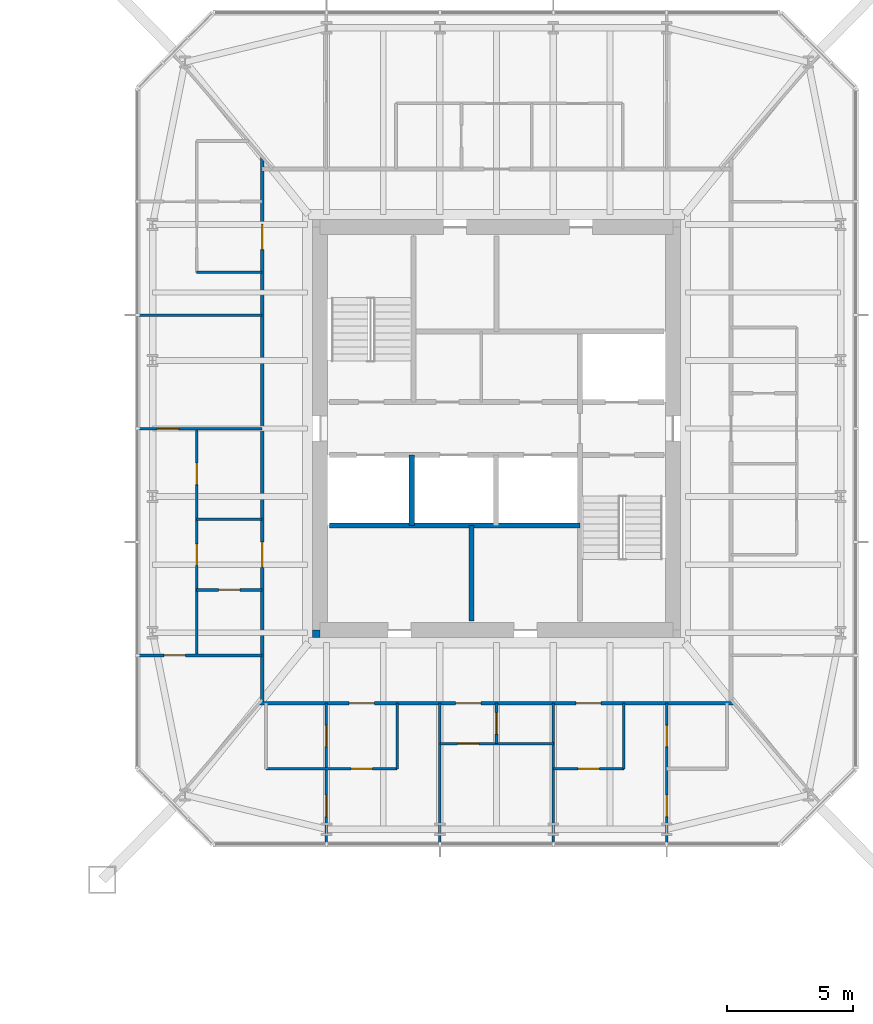
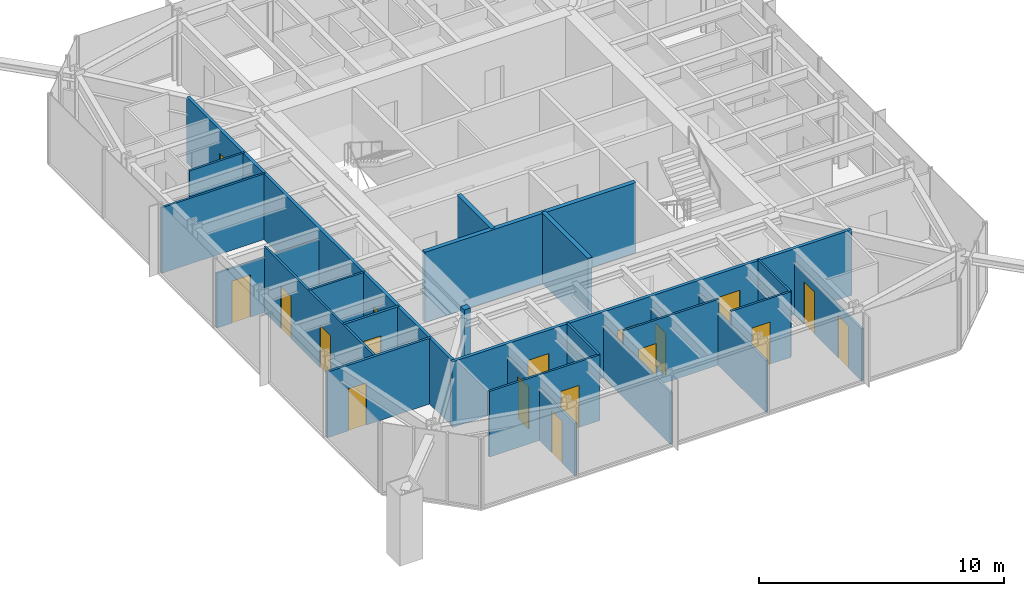
# One storey, part 17 of 25: 23 walls, 18 doors, 18 openings.
"""IFC4 building model written with IfcOpenShell, lengths in metres."""

import ifcopenshell
import ifcopenshell.guid

model = None  # the IFC model being written
_history = None  # IfcOwnerHistory: only IFC2X3 demands one
_inside = {}  # id of a spatial element -> (the spatial element, [elements in it])
_under = {}  # id of a project, library or spatial element -> (it, [spatial elements below it])
_declared = {}  # id of a project -> (the project, [libraries it declares])
_typed = {}  # id of a type object -> (the type object, [elements of that type])
_made_of = {}  # id of a material, layer set ... -> (it, [elements and type objects made of it])


def new_model(schema):
    """Start an empty IFC model of exactly this schema.

    Asked for "IFC4X3", IfcOpenShell would pick the latest addendum, in which some entities
    have other attributes; the version numbers below select the first issue.
    IFC2X3 requires an IfcOwnerHistory on every rooted entity: one is made here for all.
    """
    global model, _history
    if schema == "IFC4X3":
        model = ifcopenshell.file(schema_version=(4, 3, 0, 0))
    else:
        model = ifcopenshell.file(schema=schema)
    _inside.clear()
    _under.clear()
    _declared.clear()
    _typed.clear()
    _made_of.clear()
    _history = None
    if model.schema == "IFC2X3":
        org = make("IfcOrganization", Name="unknown")
        user = make(
            "IfcPersonAndOrganization",
            ThePerson=make("IfcPerson", FamilyName="unknown"),
            TheOrganization=org,
        )
        app = make(
            "IfcApplication",
            ApplicationDeveloper=org,
            Version="unknown",
            ApplicationFullName="unknown",
            ApplicationIdentifier="unknown",
        )
        _history = make(
            "IfcOwnerHistory",
            OwningUser=user,
            OwningApplication=app,
            ChangeAction="ADDED",
            CreationDate=0,
        )
    return model


def make(cls, **values):
    """One entity of the class cls with the attributes given. An attribute that is None is left unset."""
    return model.create_entity(
        cls, **{name: value for name, value in values.items() if value is not None}
    )


def rooted(cls, **values):
    """An entity with a GlobalId (a new one), such as an element, a storey or a relation."""
    return make(cls, GlobalId=ifcopenshell.guid.new(), OwnerHistory=_history, **values)


def si_unit(unit_type, name, prefix=None):
    """IfcSIUnit, for example si_unit("LENGTHUNIT", "METRE", prefix="MILLI")."""
    return make("IfcSIUnit", UnitType=unit_type, Prefix=prefix, Name=name)


def assignment(units):
    """IfcUnitAssignment: the units of a project."""
    return None if units is None else make("IfcUnitAssignment", Units=units)


def point(xyz):
    """IfcCartesianPoint."""
    return None if xyz is None else make("IfcCartesianPoint", Coordinates=xyz)


def direction(xyz):
    """IfcDirection."""
    return None if xyz is None else make("IfcDirection", DirectionRatios=xyz)


def frame(location, z_axis=None, x_axis=None):
    """IfcAxis2Placement3D, a coordinate frame: its origin and axes. An axis left out is left unset."""
    return make(
        "IfcAxis2Placement3D",
        Location=point(location),
        Axis=direction(z_axis),
        RefDirection=direction(x_axis),
    )


def frame_2d(location, x_axis=None):
    """IfcAxis2Placement2D, a coordinate frame in the plane: its origin and x axis."""
    return make(
        "IfcAxis2Placement2D", Location=point(location), RefDirection=direction(x_axis)
    )


def origin():
    """The frame at (0, 0, 0) with its axes left unset."""
    return frame((0.0, 0.0, 0.0))


def place(relative_to, where):
    """IfcLocalPlacement: puts the frame where relative to a parent placement (None: the world)."""
    return make(
        "IfcLocalPlacement", PlacementRelTo=relative_to, RelativePlacement=where
    )


def context(
    kind, dimensions, precision=None, world=None, true_north=None, identifier=None
):
    """IfcGeometricRepresentationContext, for example the 3D "Model" context."""
    return make(
        "IfcGeometricRepresentationContext",
        ContextIdentifier=identifier,
        ContextType=kind,
        CoordinateSpaceDimension=dimensions,
        Precision=precision,
        WorldCoordinateSystem=world,
        TrueNorth=true_north,
    )


def subcontext(parent, identifier, kind, view, scale=None):
    """IfcGeometricRepresentationSubContext, for example "Body" below "Model"."""
    return make(
        "IfcGeometricRepresentationSubContext",
        ContextIdentifier=identifier,
        ContextType=kind,
        ParentContext=parent,
        TargetScale=scale,
        TargetView=view,
    )


def project(units=None, contexts=None):
    """IfcProject with its units and contexts."""
    return rooted(
        "IfcProject",
        Name="project",
        RepresentationContexts=contexts,
        UnitsInContext=assignment(units),
    )


def spatial(cls, under=None, at=None, **own):
    """A site, building, storey or space (cls), placed at a placement, below another one or the project."""
    s = rooted(cls, ObjectPlacement=at, **own)
    if under is not None:
        _under.setdefault(under.id(), (under, []))[1].append(s)
    return s


def profile(cls, at=None, kind="AREA", **sizes):
    """A parametric profile (cls). Its sizes go by their IFC names, for example OverallWidth=200.0."""
    return make(cls, ProfileType=kind, Position=at, **sizes)


def rectangle(**sizes):
    """IfcRectangleProfileDef."""
    return profile("IfcRectangleProfileDef", **sizes)


def extrude(swept, where, along, depth):
    """IfcExtrudedAreaSolid: the profile swept, set in the frame where, extruded along a direction by depth."""
    return make(
        "IfcExtrudedAreaSolid",
        SweptArea=swept,
        Position=where,
        ExtrudedDirection=direction(along),
        Depth=depth,
    )


def shape(context_of_items, identifier, shape_type, items):
    """IfcShapeRepresentation: the items that make up one representation, for example the "Body"."""
    return make(
        "IfcShapeRepresentation",
        ContextOfItems=context_of_items,
        RepresentationIdentifier=identifier,
        RepresentationType=shape_type,
        Items=items,
    )


def material(Name=None, Category=None):
    """IfcMaterial."""
    return make("IfcMaterial", Name=Name, Category=Category)


def layer(
    of_material, thickness, ventilated=None, Name=None, Category=None, Priority=None
):
    """IfcMaterialLayer: one layer of a wall or slab, of a material (None: an air gap)."""
    return make(
        "IfcMaterialLayer",
        Material=of_material,
        LayerThickness=thickness,
        IsVentilated=ventilated,
        Name=Name,
        Category=Category,
        Priority=Priority,
    )


def layer_set(layers, Name=None):
    """IfcMaterialLayerSet."""
    return make("IfcMaterialLayerSet", MaterialLayers=layers, LayerSetName=Name)


def made_of(thing, what):
    """Note that an element or type object is made of a material, layer set ...; save() writes the relation."""
    if what is not None:
        _made_of.setdefault(what.id(), (what, []))[1].append(thing)
    return thing


def type_object(cls, material=None, **own):
    """A type object (cls), such as IfcWallType, which elements share."""
    return made_of(rooted(cls, **own), material)


def element(
    cls,
    number,
    at=None,
    inside=None,
    cuts=None,
    type_object=None,
    material=None,
    context=None,
    identifier="Body",
    shape_type=None,
    held_by="IfcProductDefinitionShape",
    body=None,
    shapes=None,
    **own,
):
    """One element of the class cls, such as IfcWall. Its Tag is "e" and its number.

    at: its placement. inside: the storey or other place that contains it. cuts: it is an
    opening in that element (IfcRelVoidsElement). A single representation is given by context,
    identifier, shape_type and body (its items); several are given by shapes. held_by: the class
    of the entity that holds the representations. save() writes the other relations.
    """
    e = rooted(cls, Tag="e%d" % number, ObjectPlacement=at, **own)
    if body is not None:
        shapes = [shape(context, identifier, shape_type, body)]
    if shapes is not None:
        e.Representation = make(held_by, Representations=shapes)
    if inside is not None:
        _inside.setdefault(inside.id(), (inside, []))[1].append(e)
    if cuts is not None:
        rooted(
            "IfcRelVoidsElement", RelatingBuildingElement=cuts, RelatedOpeningElement=e
        )
    if type_object is not None:
        _typed.setdefault(type_object.id(), (type_object, []))[1].append(e)
    return made_of(e, material)


def fill(opening, filler):
    """IfcRelFillsElement: the door or window that sits in an opening."""
    return rooted(
        "IfcRelFillsElement",
        RelatingOpeningElement=opening,
        RelatedBuildingElement=filler,
    )


def aggregate(whole, parts):
    """IfcRelAggregates: a whole, such as a stair, and the parts it consists of."""
    return rooted("IfcRelAggregates", RelatingObject=whole, RelatedObjects=parts)


def save(model, path):
    """Write the relations noted so far, then the file.

    IfcRelAggregates (storeys below a building ...), IfcRelContainedInSpatialStructure (elements
    in a storey), IfcRelDefinesByType, IfcRelAssociatesMaterial and IfcRelDeclares: one each for
    every whole, place, type object, material and project.
    """
    for whole, parts in _under.values():
        aggregate(whole, parts)
    for where, things in _inside.values():
        rooted(
            "IfcRelContainedInSpatialStructure",
            RelatedElements=things,
            RelatingStructure=where,
        )
    for kind, things in _typed.values():
        rooted("IfcRelDefinesByType", RelatedObjects=things, RelatingType=kind)
    for what, things in _made_of.values():
        rooted("IfcRelAssociatesMaterial", RelatedObjects=things, RelatingMaterial=what)
    for by, libraries in _declared.values():
        rooted("IfcRelDeclares", RelatingContext=by, RelatedDefinitions=libraries)
    model.write(path)


model = new_model("IFC4")

# Units and contexts
model_context = context("Model", 3, precision=1e-05, world=origin(), true_north=direction((0.0, 1.0)))
body_context = subcontext(model_context, "Body", "Model", "MODEL_VIEW")
ifc_project = project(units=[si_unit("LENGTHUNIT", "METRE"), si_unit("AREAUNIT", "SQUARE_METRE"), si_unit("VOLUMEUNIT", "CUBIC_METRE"), si_unit("PLANEANGLEUNIT", "RADIAN"), si_unit("MASSUNIT", "GRAM", prefix="KILO")], contexts=[model_context])

# Site, building, storey
site_placement = place(None, origin())
site = spatial("IfcSite", under=ifc_project, at=site_placement, CompositionType="ELEMENT")
building_placement = place(site_placement, origin())
building = spatial("IfcBuilding", under=site, at=building_placement, Name="Iwan Alto Co-Living Towers", CompositionType="ELEMENT")
storey_placement = place(building_placement, frame((0.0, 0.0, 84.0)))
storey = spatial("IfcBuildingStorey", under=building, at=storey_placement, Name="L22", CompositionType="ELEMENT", Elevation=84.0)

# Wall, openings, doors
ifc_material_1 = material(Name="Gypsum board")
ifc_layer_1 = layer(ifc_material_1, 0.02490234375, Name="Board", Category="Finish")
ifc_material_2 = material(Name="Steel ASTM A1003 ST33H cold-formed studs", Category="steel")
ifc_layer_2 = layer(ifc_material_2, 0.10009765625, Name="Studs", Category="Framing")
ifc_layer_3 = layer(ifc_material_1, 0.02490234375, Name="Board", Category="Finish")
ifc_layer_set_1 = layer_set([ifc_layer_1, ifc_layer_2, ifc_layer_3], Name="CORRIDOR WALL 150")
wall_type_1 = type_object("IfcWallType", Name="CORRIDOR WALL 150", PredefinedType="PARTITIONING", material=ifc_layer_set_1)
wall_1_placement = place(storey_placement, frame((53.5859375, -10.89990234375, 0.0), z_axis=(0.0, 0.0, 1.0), x_axis=(1.0, 0.0, 0.0)))
wall_1 = element("IfcWall", 1, at=wall_1_placement, inside=storey, type_object=wall_type_1, Name="Partition L22", PredefinedType="PARTITIONING", context=body_context, shape_type="SweptSolid", body=[
    extrude(rectangle(XDim=18.828125, YDim=0.14990234375, at=frame_2d((9.4140625, 0.0))), origin(), (0.0, 0.0, 1.0), 3.27001953125),
])
opening_1_placement = place(wall_1_placement, frame((3.56396484375, 0.0, 0.0)))
opening_1 = element("IfcOpeningElement", 2, at=opening_1_placement, cuts=wall_1, Name="Opening D3", PredefinedType="OPENING", context=body_context, shape_type="SweptSolid", body=[
    extrude(rectangle(XDim=1.0, YDim=2.10009765625, at=frame_2d((0.5, 1.050048828125))), frame((0.0, 0.0849609375, 0.0), z_axis=(0.0, -1.0, 0.0), x_axis=(1.0, 0.0, 0.0)), (0.0, 0.0, 1.0), 0.169921875),
])
opening_2_placement = place(wall_1_placement, frame((7.7890625, 0.0, 0.0)))
opening_2 = element("IfcOpeningElement", 3, at=opening_2_placement, cuts=wall_1, Name="Opening D3", PredefinedType="OPENING", context=body_context, shape_type="SweptSolid", body=[
    extrude(rectangle(XDim=1.0, YDim=2.10009765625, at=frame_2d((0.5, 1.050048828125))), frame((0.0, 0.0849609375, 0.0), z_axis=(0.0, -1.0, 0.0), x_axis=(1.0, 0.0, 0.0)), (0.0, 0.0, 1.0), 0.169921875),
])
opening_3_placement = place(wall_1_placement, frame((12.56396484375, 0.0, 0.0)))
opening_3 = element("IfcOpeningElement", 4, at=opening_3_placement, cuts=wall_1, Name="Opening D3", PredefinedType="OPENING", context=body_context, shape_type="SweptSolid", body=[
    extrude(rectangle(XDim=1.0, YDim=2.10009765625, at=frame_2d((0.5, 1.050048828125))), frame((0.0, 0.0849609375, 0.0), z_axis=(0.0, -1.0, 0.0), x_axis=(1.0, 0.0, 0.0)), (0.0, 0.0, 1.0), 0.169921875),
])
ifc_material_3 = material(Name="Steel frame with timber leaf", Category="steel")
door_type_1 = type_object("IfcDoorType", Name="FLAT ENTRANCE DOOR FD30S 1000X2100", OperationType="SINGLE_SWING_LEFT", PredefinedType="DOOR", material=ifc_material_3)
door_1_placement = place(opening_1_placement, frame((1.0, 0.0, 0.0), z_axis=(0.0, 0.0, 1.0), x_axis=(-1.0, 0.0, 0.0)))
door_1 = element("IfcDoor", 5, at=door_1_placement, inside=storey, type_object=door_type_1, Name="Apartment foyer door L22", OperationType="SINGLE_SWING_RIGHT", OverallHeight=2.10009765625, OverallWidth=1.0, PredefinedType="DOOR", context=body_context, shape_type="SweptSolid", body=[
    extrude(rectangle(XDim=1.0, YDim=2.10009765625, at=frame_2d((0.5, 1.050048828125))), frame((0.0, 0.02490234375, 0.0), z_axis=(0.0, -1.0, 0.0), x_axis=(1.0, 0.0, 0.0)), (0.0, 0.0, 1.0), 0.050048828125),
])
fill(opening_1, door_1)
door_2_placement = place(opening_2_placement, frame((1.0, 0.0, 0.0), z_axis=(0.0, 0.0, 1.0), x_axis=(-1.0, 0.0, 0.0)))
door_2 = element("IfcDoor", 6, at=door_2_placement, inside=storey, type_object=door_type_1, Name="Studio foyer door L22", OperationType="SINGLE_SWING_RIGHT", OverallHeight=2.10009765625, OverallWidth=1.0, PredefinedType="DOOR", context=body_context, shape_type="SweptSolid", body=[
    extrude(rectangle(XDim=1.0, YDim=2.10009765625, at=frame_2d((0.5, 1.050048828125))), frame((0.0, 0.02490234375, 0.0), z_axis=(0.0, -1.0, 0.0), x_axis=(1.0, 0.0, 0.0)), (0.0, 0.0, 1.0), 0.050048828125),
])
fill(opening_2, door_2)
door_3_placement = place(opening_3_placement, frame((1.0, 0.0, 0.0), z_axis=(0.0, 0.0, 1.0), x_axis=(-1.0, 0.0, 0.0)))
door_3 = element("IfcDoor", 7, at=door_3_placement, inside=storey, type_object=door_type_1, Name="Apartment foyer door L22", OperationType="SINGLE_SWING_RIGHT", OverallHeight=2.10009765625, OverallWidth=1.0, PredefinedType="DOOR", context=body_context, shape_type="SweptSolid", body=[
    extrude(rectangle(XDim=1.0, YDim=2.10009765625, at=frame_2d((0.5, 1.050048828125))), frame((0.0, 0.02490234375, 0.0), z_axis=(0.0, -1.0, 0.0), x_axis=(1.0, 0.0, 0.0)), (0.0, 0.0, 1.0), 0.050048828125),
])
fill(opening_3, door_3)

wall_2_placement = place(storey_placement, frame((53.699951171875, -10.89990234375, 0.0), z_axis=(0.0, 0.0, 1.0), x_axis=(0.0, 1.0, 0.0)))
wall_2 = element("IfcWall", 8, at=wall_2_placement, inside=storey, type_object=wall_type_1, Name="Partition L22", PredefinedType="PARTITIONING", context=body_context, shape_type="SweptSolid", body=[
    extrude(rectangle(XDim=21.66796875, YDim=0.14990234375, at=frame_2d((10.833984375, 0.0))), origin(), (0.0, 0.0, 1.0), 3.27001953125),
])
opening_4_placement = place(wall_2_placement, frame((18.0, 0.0, 0.0)))
opening_4 = element("IfcOpeningElement", 9, at=opening_4_placement, cuts=wall_2, Name="Opening D3", PredefinedType="OPENING", context=body_context, shape_type="SweptSolid", body=[
    extrude(rectangle(XDim=1.0, YDim=2.10009765625, at=frame_2d((0.5, 1.050048828125))), frame((0.0, 0.0849609375, 0.0), z_axis=(0.0, -1.0, 0.0), x_axis=(1.0, 0.0, 0.0)), (0.0, 0.0, 1.0), 0.169921875),
])
opening_5_placement = place(wall_2_placement, frame((5.39990234375, 0.0, 0.0)))
opening_5 = element("IfcOpeningElement", 10, at=opening_5_placement, cuts=wall_2, Name="Opening D3", PredefinedType="OPENING", context=body_context, shape_type="SweptSolid", body=[
    extrude(rectangle(XDim=1.0, YDim=2.10009765625, at=frame_2d((0.5, 1.050048828125))), frame((0.0, 0.0849609375, 0.0), z_axis=(0.0, -1.0, 0.0), x_axis=(1.0, 0.0, 0.0)), (0.0, 0.0, 1.0), 0.169921875),
])
door_4_placement = place(opening_4_placement, origin())
door_4 = element("IfcDoor", 11, at=door_4_placement, inside=storey, type_object=door_type_1, Name="Apartment foyer door L22", OperationType="SINGLE_SWING_LEFT", OverallHeight=2.10009765625, OverallWidth=1.0, PredefinedType="DOOR", context=body_context, shape_type="SweptSolid", body=[
    extrude(rectangle(XDim=1.0, YDim=2.10009765625, at=frame_2d((0.5, 1.050048828125))), frame((0.0, 0.02490234375, 0.0), z_axis=(0.0, -1.0, 0.0), x_axis=(1.0, 0.0, 0.0)), (0.0, 0.0, 1.0), 0.050048828125),
])
fill(opening_4, door_4)
door_5_placement = place(opening_5_placement, origin())
door_5 = element("IfcDoor", 12, at=door_5_placement, inside=storey, type_object=door_type_1, Name="Apartment foyer door L22", OperationType="SINGLE_SWING_LEFT", OverallHeight=2.10009765625, OverallWidth=1.0, PredefinedType="DOOR", context=body_context, shape_type="SweptSolid", body=[
    extrude(rectangle(XDim=1.0, YDim=2.10009765625, at=frame_2d((0.5, 1.050048828125))), frame((0.0, 0.02490234375, 0.0), z_axis=(0.0, -1.0, 0.0), x_axis=(1.0, 0.0, 0.0)), (0.0, 0.0, 1.0), 0.050048828125),
])
fill(opening_5, door_5)

# Wall, opening, door
ifc_layer_4 = layer(ifc_material_1, 0.012451171875, Name="Board", Category="Finish")
ifc_layer_5 = layer(ifc_material_2, 0.074951171875, Name="Studs", Category="Framing")
ifc_layer_6 = layer(ifc_material_1, 0.012451171875, Name="Board", Category="Finish")
ifc_layer_set_2 = layer_set([ifc_layer_4, ifc_layer_5, ifc_layer_6], Name="PARTITION 100")
wall_type_2 = type_object("IfcWallType", Name="PARTITION 100", PredefinedType="PARTITIONING", material=ifc_layer_set_2)
wall_3_placement = place(storey_placement, frame((53.85009765625, -13.5, 0.0), z_axis=(0.0, 0.0, 1.0), x_axis=(1.0, 0.0, 0.0)))
wall_3 = element("IfcWall", 13, at=wall_3_placement, inside=storey, type_object=wall_type_2, Name="Partition L22", PredefinedType="PARTITIONING", context=body_context, shape_type="SweptSolid", body=[
    extrude(rectangle(XDim=5.199951171875, YDim=0.10009765625, at=frame_2d((2.60009765625, 0.0))), origin(), (0.0, 0.0, 1.0), 3.27001953125),
])
opening_6_placement = place(wall_3_placement, frame((3.375, 0.0, 0.0)))
opening_6 = element("IfcOpeningElement", 14, at=opening_6_placement, cuts=wall_3, Name="Opening D2", PredefinedType="OPENING", context=body_context, shape_type="SweptSolid", body=[
    extrude(rectangle(XDim=0.85009765625, YDim=2.10009765625, at=frame_2d((0.425048828125, 1.050048828125))), frame((0.0, 0.06005859375, 0.0), z_axis=(0.0, -1.0, 0.0), x_axis=(1.0, 0.0, 0.0)), (0.0, 0.0, 1.0), 0.1201171875),
])
ifc_material_4 = material(Name="Timber leaf in steel frame", Category="steel")
door_type_2 = type_object("IfcDoorType", Name="ROOM DOOR 850X2100", OperationType="SINGLE_SWING_LEFT", PredefinedType="DOOR", material=ifc_material_4)
door_6_placement = place(opening_6_placement, frame((0.85009765625, 0.0, 0.0), z_axis=(0.0, 0.0, 1.0), x_axis=(-1.0, 0.0, 0.0)))
door_6 = element("IfcDoor", 15, at=door_6_placement, inside=storey, type_object=door_type_2, Name="Apartment foyer door L22", OperationType="SINGLE_SWING_RIGHT", OverallHeight=2.10009765625, OverallWidth=0.85009765625, PredefinedType="DOOR", context=body_context, shape_type="SweptSolid", body=[
    extrude(rectangle(XDim=0.85009765625, YDim=2.10009765625, at=frame_2d((0.425048828125, 1.050048828125))), frame((0.0, 0.02490234375, 0.0), z_axis=(0.0, -1.0, 0.0), x_axis=(1.0, 0.0, 0.0)), (0.0, 0.0, 1.0), 0.050048828125),
])
fill(opening_6, door_6)

wall_4_placement = place(storey_placement, frame((65.25, -13.5, 0.0), z_axis=(0.0, 0.0, 1.0), x_axis=(1.0, 0.0, 0.0)))
wall_4 = element("IfcWall", 16, at=wall_4_placement, inside=storey, type_object=wall_type_2, Name="Partition L22", PredefinedType="PARTITIONING", context=body_context, shape_type="SweptSolid", body=[
    extrude(rectangle(XDim=2.800048828125, YDim=0.10009765625, at=frame_2d((1.39990234375, 0.0))), origin(), (0.0, 0.0, 1.0), 3.27001953125),
])
opening_7_placement = place(wall_4_placement, frame((0.97509765625, 0.0, 0.0)))
opening_7 = element("IfcOpeningElement", 17, at=opening_7_placement, cuts=wall_4, Name="Opening D2", PredefinedType="OPENING", context=body_context, shape_type="SweptSolid", body=[
    extrude(rectangle(XDim=0.85009765625, YDim=2.10009765625, at=frame_2d((0.425048828125, 1.050048828125))), frame((0.0, 0.06005859375, 0.0), z_axis=(0.0, -1.0, 0.0), x_axis=(1.0, 0.0, 0.0)), (0.0, 0.0, 1.0), 0.1201171875),
])
door_7_placement = place(opening_7_placement, frame((0.85009765625, 0.0, 0.0), z_axis=(0.0, 0.0, 1.0), x_axis=(-1.0, 0.0, 0.0)))
door_7 = element("IfcDoor", 18, at=door_7_placement, inside=storey, type_object=door_type_2, Name="Apartment foyer door L22", OperationType="SINGLE_SWING_RIGHT", OverallHeight=2.10009765625, OverallWidth=0.85009765625, PredefinedType="DOOR", context=body_context, shape_type="SweptSolid", body=[
    extrude(rectangle(XDim=0.85009765625, YDim=2.10009765625, at=frame_2d((0.425048828125, 1.050048828125))), frame((0.0, 0.02490234375, 0.0), z_axis=(0.0, -1.0, 0.0), x_axis=(1.0, 0.0, 0.0)), (0.0, 0.0, 1.0), 0.050048828125),
])
fill(opening_7, door_7)

wall_5_placement = place(storey_placement, frame((60.75, -12.5, 0.0), z_axis=(0.0, 0.0, 1.0), x_axis=(1.0, 0.0, 0.0)))
wall_5 = element("IfcWall", 19, at=wall_5_placement, inside=storey, type_object=wall_type_2, Name="Partition L22", PredefinedType="PARTITIONING", context=body_context, shape_type="SweptSolid", body=[
    extrude(rectangle(XDim=4.5, YDim=0.10009765625, at=frame_2d((2.25, 0.0))), origin(), (0.0, 0.0, 1.0), 3.27001953125),
])
opening_8_placement = place(wall_5_placement, frame((0.699951171875, 0.0, 0.0)))
opening_8 = element("IfcOpeningElement", 20, at=opening_8_placement, cuts=wall_5, Name="Opening D2", PredefinedType="OPENING", context=body_context, shape_type="SweptSolid", body=[
    extrude(rectangle(XDim=0.85009765625, YDim=2.10009765625, at=frame_2d((0.425048828125, 1.050048828125))), frame((0.0, 0.06005859375, 0.0), z_axis=(0.0, -1.0, 0.0), x_axis=(1.0, 0.0, 0.0)), (0.0, 0.0, 1.0), 0.1201171875),
])
door_8_placement = place(opening_8_placement, frame((0.85009765625, 0.0, 0.0), z_axis=(0.0, 0.0, 1.0), x_axis=(-1.0, 0.0, 0.0)))
door_8 = element("IfcDoor", 21, at=door_8_placement, inside=storey, type_object=door_type_2, Name="Studio and kitchenette door L22", OperationType="SINGLE_SWING_RIGHT", OverallHeight=2.10009765625, OverallWidth=0.85009765625, PredefinedType="DOOR", context=body_context, shape_type="SweptSolid", body=[
    extrude(rectangle(XDim=0.85009765625, YDim=2.10009765625, at=frame_2d((0.425048828125, 1.050048828125))), frame((0.0, 0.02490234375, 0.0), z_axis=(0.0, -1.0, 0.0), x_axis=(1.0, 0.0, 0.0)), (0.0, 0.0, 1.0), 0.050048828125),
])
fill(opening_8, door_8)

# Wall
wall_6_placement = place(storey_placement, frame((51.10009765625, -3.60009765625, 0.0), z_axis=(0.0, 0.0, 1.0), x_axis=(1.0, 0.0, 0.0)))
element("IfcWall", 22, at=wall_6_placement, inside=storey, type_object=wall_type_2, Name="Partition L22", PredefinedType="PARTITIONING", context=body_context, shape_type="SweptSolid", body=[
    extrude(rectangle(XDim=2.599853515625, YDim=0.10009765625, at=frame_2d((1.2998046875, 0.0))), origin(), (0.0, 0.0, 1.0), 3.27001953125),
])

# Wall, opening, door
wall_7_placement = place(storey_placement, frame((48.81005859375, 0.0, 0.0), z_axis=(0.0, 0.0, 1.0), x_axis=(1.0, 0.0, 0.0)))
wall_7 = element("IfcWall", 23, at=wall_7_placement, inside=storey, type_object=wall_type_2, Name="Partition L22", PredefinedType="PARTITIONING", context=body_context, shape_type="SweptSolid", body=[
    extrude(rectangle(XDim=4.889892578125, YDim=0.10009765625, at=frame_2d((2.44482421875, 0.0))), origin(), (0.0, 0.0, 1.0), 2.736572265625),
])
opening_9_placement = place(wall_7_placement, frame((0.719970703125, 0.0, 0.0)))
opening_9 = element("IfcOpeningElement", 24, at=opening_9_placement, cuts=wall_7, Name="Opening D2", PredefinedType="OPENING", context=body_context, shape_type="SweptSolid", body=[
    extrude(rectangle(XDim=0.85009765625, YDim=2.10009765625, at=frame_2d((0.425048828125, 1.050048828125))), frame((0.0, 0.06005859375, 0.0), z_axis=(0.0, -1.0, 0.0), x_axis=(1.0, 0.0, 0.0)), (0.0, 0.0, 1.0), 0.1201171875),
])
door_9_placement = place(opening_9_placement, origin())
door_9 = element("IfcDoor", 25, at=door_9_placement, inside=storey, type_object=door_type_2, Name="Bedroom door L22", OperationType="SINGLE_SWING_LEFT", OverallHeight=2.10009765625, OverallWidth=0.85009765625, PredefinedType="DOOR", context=body_context, shape_type="SweptSolid", body=[
    extrude(rectangle(XDim=0.85009765625, YDim=2.10009765625, at=frame_2d((0.425048828125, 1.050048828125))), frame((0.0, 0.02490234375, 0.0), z_axis=(0.0, -1.0, 0.0), x_axis=(1.0, 0.0, 0.0)), (0.0, 0.0, 1.0), 0.050048828125),
])
fill(opening_9, door_9)

# Walls
wall_8_placement = place(storey_placement, frame((48.81005859375, 4.5, 0.0), z_axis=(0.0, 0.0, 1.0), x_axis=(1.0, 0.0, 0.0)))
element("IfcWall", 26, at=wall_8_placement, inside=storey, type_object=wall_type_2, Name="Partition L22", PredefinedType="PARTITIONING", context=body_context, shape_type="SweptSolid", body=[
    extrude(rectangle(XDim=4.889892578125, YDim=0.10009765625, at=frame_2d((2.44482421875, 0.0))), origin(), (0.0, 0.0, 1.0), 3.27001953125),
])
wall_9_placement = place(storey_placement, frame((51.10009765625, 6.199951171875, 0.0), z_axis=(0.0, 0.0, 1.0), x_axis=(1.0, 0.0, 0.0)))
element("IfcWall", 27, at=wall_9_placement, inside=storey, type_object=wall_type_2, Name="Partition L22", PredefinedType="PARTITIONING", context=body_context, shape_type="SweptSolid", body=[
    extrude(rectangle(XDim=2.599853515625, YDim=0.10009765625, at=frame_2d((1.2998046875, 0.0))), origin(), (0.0, 0.0, 1.0), 3.27001953125),
])

# Wall, openings, doors
wall_10_placement = place(storey_placement, frame((69.75, -16.43994140625, 0.0), z_axis=(0.0, 0.0, 1.0), x_axis=(0.0, 1.0, 0.0)))
wall_10 = element("IfcWall", 28, at=wall_10_placement, inside=storey, type_object=wall_type_2, Name="Partition L22", PredefinedType="PARTITIONING", context=body_context, shape_type="SweptSolid", body=[
    extrude(rectangle(XDim=5.5400390625, YDim=0.10009765625, at=frame_2d((2.77001953125, 0.0))), origin(), (0.0, 0.0, 1.0), 2.586669921875),
])
opening_10_placement = place(wall_10_placement, frame((3.81494140625, 0.0, 0.0)))
opening_10 = element("IfcOpeningElement", 29, at=opening_10_placement, cuts=wall_10, Name="Opening D2", PredefinedType="OPENING", context=body_context, shape_type="SweptSolid", body=[
    extrude(rectangle(XDim=0.85009765625, YDim=2.10009765625, at=frame_2d((0.425048828125, 1.050048828125))), frame((0.0, 0.06005859375, 0.0), z_axis=(0.0, -1.0, 0.0), x_axis=(1.0, 0.0, 0.0)), (0.0, 0.0, 1.0), 0.1201171875),
])
opening_11_placement = place(wall_10_placement, frame((1.044921875, 0.0, 0.0)))
opening_11 = element("IfcOpeningElement", 30, at=opening_11_placement, cuts=wall_10, Name="Opening D2", PredefinedType="OPENING", context=body_context, shape_type="SweptSolid", body=[
    extrude(rectangle(XDim=0.85009765625, YDim=2.10009765625, at=frame_2d((0.425048828125, 1.050048828125))), frame((0.0, 0.06005859375, 0.0), z_axis=(0.0, -1.0, 0.0), x_axis=(1.0, 0.0, 0.0)), (0.0, 0.0, 1.0), 0.1201171875),
])
door_10_placement = place(opening_10_placement, origin())
door_10 = element("IfcDoor", 31, at=door_10_placement, inside=storey, type_object=door_type_2, Name="Bathroom door L22", OperationType="SINGLE_SWING_RIGHT", OverallHeight=2.10009765625, OverallWidth=0.85009765625, PredefinedType="DOOR", context=body_context, shape_type="SweptSolid", body=[
    extrude(rectangle(XDim=0.85009765625, YDim=2.10009765625, at=frame_2d((0.425048828125, 1.050048828125))), frame((0.0, 0.02490234375, 0.0), z_axis=(0.0, -1.0, 0.0), x_axis=(1.0, 0.0, 0.0)), (0.0, 0.0, 1.0), 0.050048828125),
])
fill(opening_10, door_10)
door_11_placement = place(opening_11_placement, frame((0.85009765625, 0.0, 0.0), z_axis=(0.0, 0.0, 1.0), x_axis=(-1.0, 0.0, 0.0)))
door_11 = element("IfcDoor", 32, at=door_11_placement, inside=storey, type_object=door_type_2, Name="Bedroom door L22", OperationType="SINGLE_SWING_LEFT", OverallHeight=2.10009765625, OverallWidth=0.85009765625, PredefinedType="DOOR", context=body_context, shape_type="SweptSolid", body=[
    extrude(rectangle(XDim=0.85009765625, YDim=2.10009765625, at=frame_2d((0.425048828125, 1.050048828125))), frame((0.0, 0.02490234375, 0.0), z_axis=(0.0, -1.0, 0.0), x_axis=(1.0, 0.0, 0.0)), (0.0, 0.0, 1.0), 0.050048828125),
])
fill(opening_11, door_11)

# Walls
wall_11_placement = place(storey_placement, frame((68.050048828125, -13.5, 0.0), z_axis=(0.0, 0.0, 1.0), x_axis=(0.0, 1.0, 0.0)))
element("IfcWall", 33, at=wall_11_placement, inside=storey, type_object=wall_type_2, Name="Partition L22", PredefinedType="PARTITIONING", context=body_context, shape_type="SweptSolid", body=[
    extrude(rectangle(XDim=2.60009765625, YDim=0.10009765625, at=frame_2d((1.300048828125, 0.0))), origin(), (0.0, 0.0, 1.0), 3.27001953125),
])
for number, where, z_axis, x_axis, name in (
    (34, (65.25, -16.43994140625, 0.0), (0.0, 0.0, 1.0), (0.0, 1.0, 0.0), "Partition L22"),
    (35, (60.75, -16.43994140625, 0.0), (0.0, 0.0, 1.0), (0.0, 1.0, 0.0), "Partition L22"),
):
    element("IfcWall", number, at=place(storey_placement, frame(where, z_axis=z_axis, x_axis=x_axis)), inside=storey, type_object=wall_type_2, Name=name, PredefinedType="PARTITIONING", context=body_context, shape_type="SweptSolid", body=[
        extrude(rectangle(XDim=5.5400390625, YDim=0.10009765625, at=frame_2d((2.77001953125, 0.0))), origin(), (0.0, 0.0, 1.0), 2.586669921875),
    ])
wall_12_placement = place(storey_placement, frame((59.050048828125, -13.5, 0.0), z_axis=(0.0, 0.0, 1.0), x_axis=(0.0, 1.0, 0.0)))
element("IfcWall", 36, at=wall_12_placement, inside=storey, type_object=wall_type_2, Name="Partition L22", PredefinedType="PARTITIONING", context=body_context, shape_type="SweptSolid", body=[
    extrude(rectangle(XDim=2.60009765625, YDim=0.10009765625, at=frame_2d((1.300048828125, 0.0))), origin(), (0.0, 0.0, 1.0), 3.27001953125),
])

# Wall, openings, doors
wall_13_placement = place(storey_placement, frame((56.25, -16.43994140625, 0.0), z_axis=(0.0, 0.0, 1.0), x_axis=(0.0, 1.0, 0.0)))
wall_13 = element("IfcWall", 37, at=wall_13_placement, inside=storey, type_object=wall_type_2, Name="Partition L22", PredefinedType="PARTITIONING", context=body_context, shape_type="SweptSolid", body=[
    extrude(rectangle(XDim=5.5400390625, YDim=0.10009765625, at=frame_2d((2.77001953125, 0.0))), origin(), (0.0, 0.0, 1.0), 2.586669921875),
])
opening_12_placement = place(wall_13_placement, frame((3.81494140625, 0.0, 0.0)))
opening_12 = element("IfcOpeningElement", 38, at=opening_12_placement, cuts=wall_13, Name="Opening D2", PredefinedType="OPENING", context=body_context, shape_type="SweptSolid", body=[
    extrude(rectangle(XDim=0.85009765625, YDim=2.10009765625, at=frame_2d((0.425048828125, 1.050048828125))), frame((0.0, 0.06005859375, 0.0), z_axis=(0.0, -1.0, 0.0), x_axis=(1.0, 0.0, 0.0)), (0.0, 0.0, 1.0), 0.1201171875),
])
opening_13_placement = place(wall_13_placement, frame((1.044921875, 0.0, 0.0)))
opening_13 = element("IfcOpeningElement", 39, at=opening_13_placement, cuts=wall_13, Name="Opening D2", PredefinedType="OPENING", context=body_context, shape_type="SweptSolid", body=[
    extrude(rectangle(XDim=0.85009765625, YDim=2.10009765625, at=frame_2d((0.425048828125, 1.050048828125))), frame((0.0, 0.06005859375, 0.0), z_axis=(0.0, -1.0, 0.0), x_axis=(1.0, 0.0, 0.0)), (0.0, 0.0, 1.0), 0.1201171875),
])
door_12_placement = place(opening_12_placement, origin())
door_12 = element("IfcDoor", 40, at=door_12_placement, inside=storey, type_object=door_type_2, Name="Bathroom door L22", OperationType="SINGLE_SWING_LEFT", OverallHeight=2.10009765625, OverallWidth=0.85009765625, PredefinedType="DOOR", context=body_context, shape_type="SweptSolid", body=[
    extrude(rectangle(XDim=0.85009765625, YDim=2.10009765625, at=frame_2d((0.425048828125, 1.050048828125))), frame((0.0, 0.02490234375, 0.0), z_axis=(0.0, -1.0, 0.0), x_axis=(1.0, 0.0, 0.0)), (0.0, 0.0, 1.0), 0.050048828125),
])
fill(opening_12, door_12)
door_13_placement = place(opening_13_placement, origin())
door_13 = element("IfcDoor", 41, at=door_13_placement, inside=storey, type_object=door_type_2, Name="Bedroom door L22", OperationType="SINGLE_SWING_RIGHT", OverallHeight=2.10009765625, OverallWidth=0.85009765625, PredefinedType="DOOR", context=body_context, shape_type="SweptSolid", body=[
    extrude(rectangle(XDim=0.85009765625, YDim=2.10009765625, at=frame_2d((0.425048828125, 1.050048828125))), frame((0.0, 0.02490234375, 0.0), z_axis=(0.0, -1.0, 0.0), x_axis=(1.0, 0.0, 0.0)), (0.0, 0.0, 1.0), 0.050048828125),
])
fill(opening_13, door_13)

wall_14_placement = place(storey_placement, frame((51.10009765625, -9.0, 0.0), z_axis=(0.0, 0.0, 1.0), x_axis=(0.0, 1.0, 0.0)))
wall_14 = element("IfcWall", 42, at=wall_14_placement, inside=storey, type_object=wall_type_2, Name="Partition L22", PredefinedType="PARTITIONING", context=body_context, shape_type="SweptSolid", body=[
    extrude(rectangle(XDim=9.0, YDim=0.10009765625, at=frame_2d((4.5, 0.0))), origin(), (0.0, 0.0, 1.0), 3.27001953125),
])
opening_14_placement = place(wall_14_placement, frame((6.77490234375, 0.0, 0.0)))
opening_14 = element("IfcOpeningElement", 43, at=opening_14_placement, cuts=wall_14, Name="Opening D2", PredefinedType="OPENING", context=body_context, shape_type="SweptSolid", body=[
    extrude(rectangle(XDim=0.85009765625, YDim=2.10009765625, at=frame_2d((0.425048828125, 1.050048828125))), frame((0.0, 0.06005859375, 0.0), z_axis=(0.0, -1.0, 0.0), x_axis=(1.0, 0.0, 0.0)), (0.0, 0.0, 1.0), 0.1201171875),
])
opening_15_placement = place(wall_14_placement, frame((3.574951171875, 0.0, 0.0)))
opening_15 = element("IfcOpeningElement", 44, at=opening_15_placement, cuts=wall_14, Name="Opening D2", PredefinedType="OPENING", context=body_context, shape_type="SweptSolid", body=[
    extrude(rectangle(XDim=0.85009765625, YDim=2.10009765625, at=frame_2d((0.425048828125, 1.050048828125))), frame((0.0, 0.06005859375, 0.0), z_axis=(0.0, -1.0, 0.0), x_axis=(1.0, 0.0, 0.0)), (0.0, 0.0, 1.0), 0.1201171875),
])
door_14_placement = place(opening_14_placement, origin())
door_14 = element("IfcDoor", 45, at=door_14_placement, inside=storey, type_object=door_type_2, Name="Kitchen door L22", OperationType="SINGLE_SWING_RIGHT", OverallHeight=2.10009765625, OverallWidth=0.85009765625, PredefinedType="DOOR", context=body_context, shape_type="SweptSolid", body=[
    extrude(rectangle(XDim=0.85009765625, YDim=2.10009765625, at=frame_2d((0.425048828125, 1.050048828125))), frame((0.0, 0.02490234375, 0.0), z_axis=(0.0, -1.0, 0.0), x_axis=(1.0, 0.0, 0.0)), (0.0, 0.0, 1.0), 0.050048828125),
])
fill(opening_14, door_14)
door_15_placement = place(opening_15_placement, origin())
door_15 = element("IfcDoor", 46, at=door_15_placement, inside=storey, type_object=door_type_2, Name="Apartment foyer door L22", OperationType="SINGLE_SWING_LEFT", OverallHeight=2.10009765625, OverallWidth=0.85009765625, PredefinedType="DOOR", context=body_context, shape_type="SweptSolid", body=[
    extrude(rectangle(XDim=0.85009765625, YDim=2.10009765625, at=frame_2d((0.425048828125, 1.050048828125))), frame((0.0, 0.02490234375, 0.0), z_axis=(0.0, -1.0, 0.0), x_axis=(1.0, 0.0, 0.0)), (0.0, 0.0, 1.0), 0.050048828125),
])
fill(opening_15, door_15)

# Walls
ifc_material_5 = material(Name="Concrete f'c 70 MPa", Category="concrete")
ifc_layer_7 = layer(ifc_material_5, 0.199951171875)
ifc_layer_set_3 = layer_set([ifc_layer_7], Name="SHAFT WALL 200")
wall_type_3 = type_object("IfcWallType", Name="SHAFT WALL 200", PredefinedType="SOLIDWALL", material=ifc_layer_set_3)
wall_15_placement = place(storey_placement, frame((56.360107421875, -3.85009765625, 0.0), z_axis=(0.0, 0.0, 1.0), x_axis=(1.0, 0.0, 0.0)))
element("IfcWall", 47, at=wall_15_placement, inside=storey, type_object=wall_type_3, Name="Shaft wall L22", PredefinedType="SOLIDWALL", context=body_context, shape_type="SweptSolid", body=[
    extrude(rectangle(XDim=9.93994140625, YDim=0.199951171875, at=frame_2d((4.969970703125, 0.0))), origin(), (0.0, 0.0, 1.0), 3.5),
])
wall_16_placement = place(storey_placement, frame((62.0, -7.639892578125, 0.0), z_axis=(0.0, 0.0, 1.0), x_axis=(0.0, 1.0, 0.0)))
element("IfcWall", 48, at=wall_16_placement, inside=storey, type_object=wall_type_3, Name="Shaft wall L22", PredefinedType="SOLIDWALL", context=body_context, shape_type="SweptSolid", body=[
    extrude(rectangle(XDim=3.789794921875, YDim=0.199951171875, at=frame_2d((1.89501953125, 0.0))), origin(), (0.0, 0.0, 1.0), 3.5),
])
wall_17_placement = place(storey_placement, frame((59.633056640625, -3.85009765625, 0.0), z_axis=(0.0, 0.0, 1.0), x_axis=(0.0, 1.0, 0.0)))
element("IfcWall", 49, at=wall_17_placement, inside=storey, type_object=wall_type_3, Name="Shaft wall L22", PredefinedType="SOLIDWALL", context=body_context, shape_type="SweptSolid", body=[
    extrude(rectangle(XDim=2.800048828125, YDim=0.199951171875, at=frame_2d((1.39990234375, 0.0))), origin(), (0.0, 0.0, 1.0), 3.5),
])
ifc_material_6 = material(Name="Concrete f'c 70 MPa", Category="concrete")
ifc_layer_8 = layer(ifc_material_6, 0.300048828125)
ifc_layer_set_4 = layer_set([ifc_layer_8], Name="T2 CORE CORNER FILL 300")
wall_type_4 = type_object("IfcWallType", Name="T2 CORE CORNER FILL 300", PredefinedType="SOLIDWALL", material=ifc_layer_set_4)
wall_18_placement = place(storey_placement, frame((55.699951171875, -8.14990234375, 0.0), z_axis=(0.0, 0.0, 1.0), x_axis=(1.0, 0.0, 0.0)))
element("IfcWall", 50, at=wall_18_placement, inside=storey, type_object=wall_type_4, Name="T2 core corner SW L22", PredefinedType="SOLIDWALL", context=body_context, shape_type="SweptSolid", body=[
    extrude(rectangle(XDim=0.300048828125, YDim=0.300048828125, at=frame_2d((0.14990234375, 0.0))), origin(), (0.0, 0.0, 1.0), 3.5),
])

# Wall, opening, door
ifc_material_7 = material(Name="Cement board")
ifc_layer_9 = layer(ifc_material_7, 0.012451171875, Name="Board", Category="Finish")
ifc_layer_10 = layer(ifc_material_2, 0.094970703125, Name="Studs", Category="Framing")
ifc_layer_11 = layer(ifc_material_7, 0.012451171875, Name="Board", Category="Finish")
ifc_layer_set_5 = layer_set([ifc_layer_9, ifc_layer_10, ifc_layer_11], Name="WET AREA PARTITION 120")
wall_type_5 = type_object("IfcWallType", Name="WET AREA PARTITION 120", PredefinedType="PARTITIONING", material=ifc_layer_set_5)
wall_19_placement = place(storey_placement, frame((48.81005859375, -9.0, 0.0), z_axis=(0.0, 0.0, 1.0), x_axis=(1.0, 0.0, 0.0)))
wall_19 = element("IfcWall", 51, at=wall_19_placement, inside=storey, type_object=wall_type_5, Name="Partition L22", PredefinedType="PARTITIONING", context=body_context, shape_type="SweptSolid", body=[
    extrude(rectangle(XDim=4.889892578125, YDim=0.1201171875, at=frame_2d((2.44482421875, 0.0))), origin(), (0.0, 0.0, 1.0), 3.27001953125),
])
opening_16_placement = place(wall_19_placement, frame((0.989990234375, 0.0, 0.0)))
opening_16 = element("IfcOpeningElement", 52, at=opening_16_placement, cuts=wall_19, Name="Opening D2", PredefinedType="OPENING", context=body_context, shape_type="SweptSolid", body=[
    extrude(rectangle(XDim=0.85009765625, YDim=2.10009765625, at=frame_2d((0.425048828125, 1.050048828125))), frame((0.0, 0.070068359375, 0.0), z_axis=(0.0, -1.0, 0.0), x_axis=(1.0, 0.0, 0.0)), (0.0, 0.0, 1.0), 0.14013671875),
])
door_16_placement = place(opening_16_placement, frame((0.85009765625, 0.0, 0.0), z_axis=(0.0, 0.0, 1.0), x_axis=(-1.0, 0.0, 0.0)))
door_16 = element("IfcDoor", 53, at=door_16_placement, inside=storey, type_object=door_type_2, Name="Bedroom door L22", OperationType="SINGLE_SWING_RIGHT", OverallHeight=2.10009765625, OverallWidth=0.85009765625, PredefinedType="DOOR", context=body_context, shape_type="SweptSolid", body=[
    extrude(rectangle(XDim=0.85009765625, YDim=2.10009765625, at=frame_2d((0.425048828125, 1.050048828125))), frame((0.0, 0.02490234375, 0.0), z_axis=(0.0, -1.0, 0.0), x_axis=(1.0, 0.0, 0.0)), (0.0, 0.0, 1.0), 0.050048828125),
])
fill(opening_16, door_16)

wall_20_placement = place(storey_placement, frame((51.10009765625, -6.39990234375, 0.0), z_axis=(0.0, 0.0, 1.0), x_axis=(1.0, 0.0, 0.0)))
wall_20 = element("IfcWall", 54, at=wall_20_placement, inside=storey, type_object=wall_type_5, Name="Partition L22", PredefinedType="PARTITIONING", context=body_context, shape_type="SweptSolid", body=[
    extrude(rectangle(XDim=2.599853515625, YDim=0.1201171875, at=frame_2d((1.2998046875, 0.0))), origin(), (0.0, 0.0, 1.0), 3.27001953125),
])
opening_17_placement = place(wall_20_placement, frame((0.875, 0.0, 0.0)))
opening_17 = element("IfcOpeningElement", 55, at=opening_17_placement, cuts=wall_20, Name="Opening D2", PredefinedType="OPENING", context=body_context, shape_type="SweptSolid", body=[
    extrude(rectangle(XDim=0.85009765625, YDim=2.10009765625, at=frame_2d((0.425048828125, 1.050048828125))), frame((0.0, 0.070068359375, 0.0), z_axis=(0.0, -1.0, 0.0), x_axis=(1.0, 0.0, 0.0)), (0.0, 0.0, 1.0), 0.14013671875),
])
door_17_placement = place(opening_17_placement, frame((0.85009765625, 0.0, 0.0), z_axis=(0.0, 0.0, 1.0), x_axis=(-1.0, 0.0, 0.0)))
door_17 = element("IfcDoor", 56, at=door_17_placement, inside=storey, type_object=door_type_2, Name="Bathroom door L22", OperationType="SINGLE_SWING_RIGHT", OverallHeight=2.10009765625, OverallWidth=0.85009765625, PredefinedType="DOOR", context=body_context, shape_type="SweptSolid", body=[
    extrude(rectangle(XDim=0.85009765625, YDim=2.10009765625, at=frame_2d((0.425048828125, 1.050048828125))), frame((0.0, 0.02490234375, 0.0), z_axis=(0.0, -1.0, 0.0), x_axis=(1.0, 0.0, 0.0)), (0.0, 0.0, 1.0), 0.050048828125),
])
fill(opening_17, door_17)

wall_21_placement = place(storey_placement, frame((63.0, -12.5, 0.0), z_axis=(0.0, 0.0, 1.0), x_axis=(0.0, 1.0, 0.0)))
wall_21 = element("IfcWall", 57, at=wall_21_placement, inside=storey, type_object=wall_type_5, Name="Partition L22", PredefinedType="PARTITIONING", context=body_context, shape_type="SweptSolid", body=[
    extrude(rectangle(XDim=1.60009765625, YDim=0.1201171875, at=frame_2d((0.800048828125, 0.0))), origin(), (0.0, 0.0, 1.0), 2.662841796875),
])
opening_18_placement = place(wall_21_placement, frame((0.375, 0.0, 0.0)))
opening_18 = element("IfcOpeningElement", 58, at=opening_18_placement, cuts=wall_21, Name="Opening D2", PredefinedType="OPENING", context=body_context, shape_type="SweptSolid", body=[
    extrude(rectangle(XDim=0.85009765625, YDim=2.10009765625, at=frame_2d((0.425048828125, 1.050048828125))), frame((0.0, 0.070068359375, 0.0), z_axis=(0.0, -1.0, 0.0), x_axis=(1.0, 0.0, 0.0)), (0.0, 0.0, 1.0), 0.14013671875),
])
door_18_placement = place(opening_18_placement, frame((0.85009765625, 0.0, 0.0), z_axis=(0.0, 0.0, 1.0), x_axis=(-1.0, 0.0, 0.0)))
door_18 = element("IfcDoor", 59, at=door_18_placement, inside=storey, type_object=door_type_2, Name="Shower room door L22", OperationType="SINGLE_SWING_RIGHT", OverallHeight=2.10009765625, OverallWidth=0.85009765625, PredefinedType="DOOR", context=body_context, shape_type="SweptSolid", body=[
    extrude(rectangle(XDim=0.85009765625, YDim=2.10009765625, at=frame_2d((0.425048828125, 1.050048828125))), frame((0.0, 0.02490234375, 0.0), z_axis=(0.0, -1.0, 0.0), x_axis=(1.0, 0.0, 0.0)), (0.0, 0.0, 1.0), 0.050048828125),
])
fill(opening_18, door_18)

save(model, "model.ifc")
